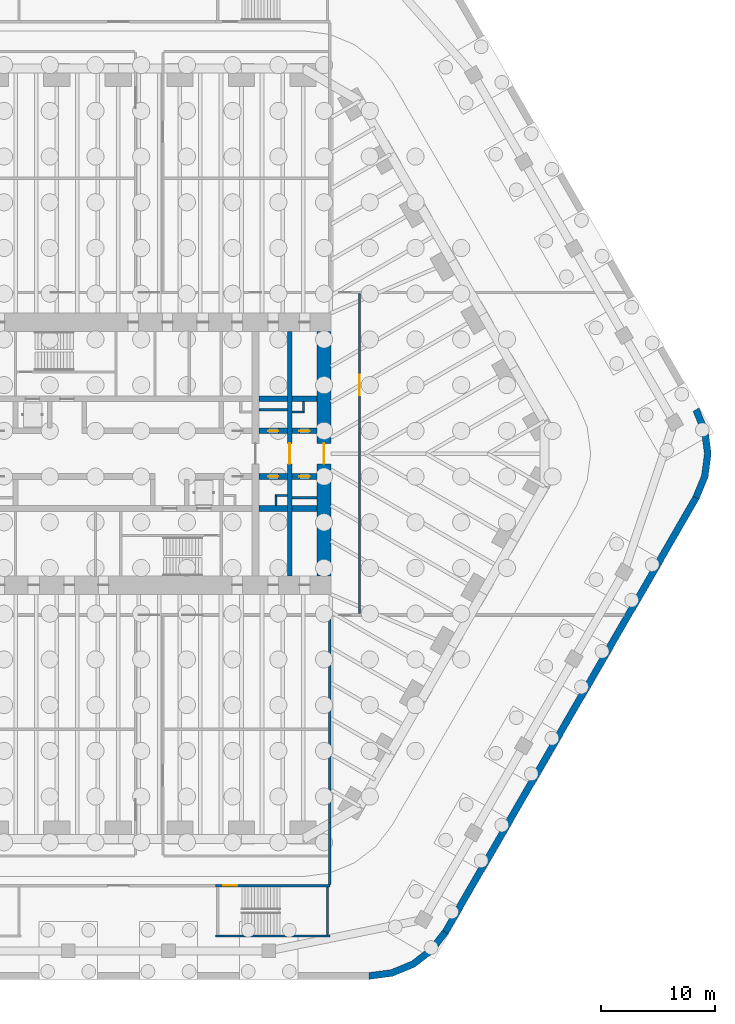
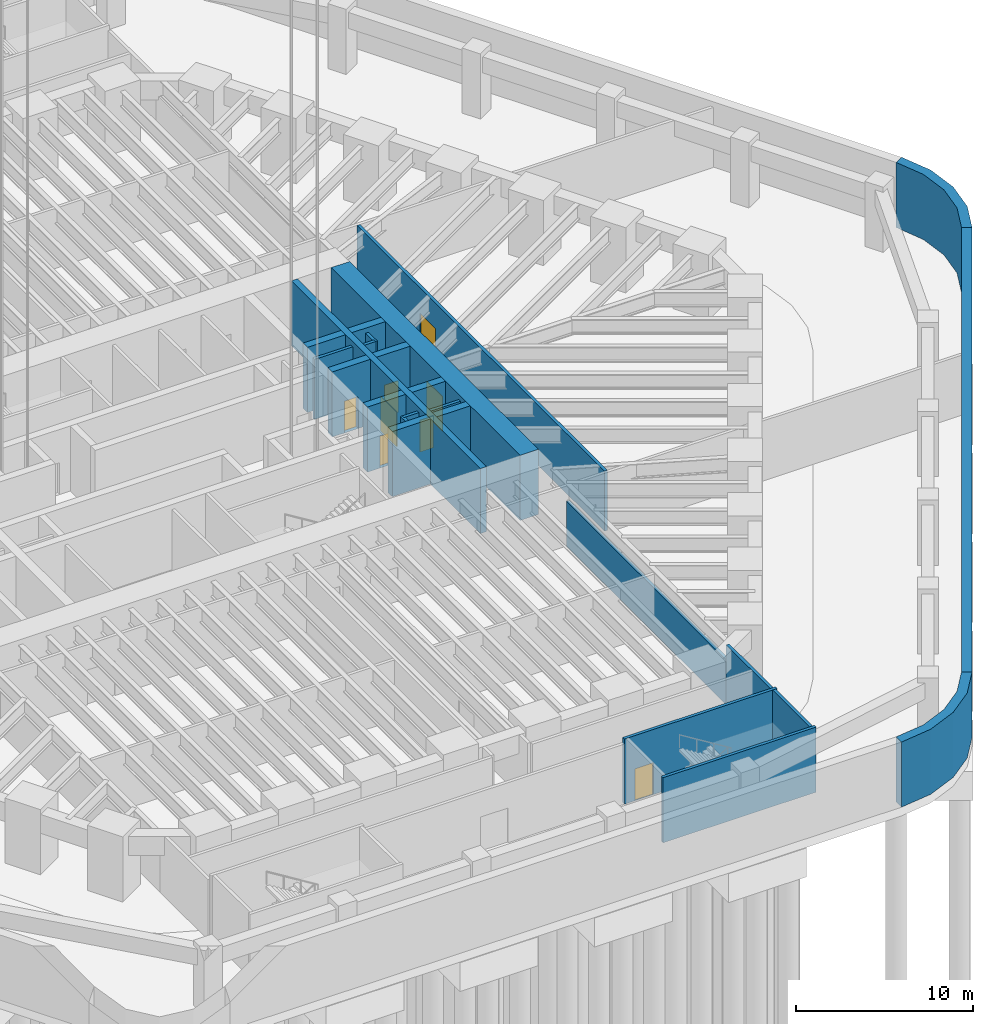
# One storey, part 11 of 17: 25 walls, 8 doors, 8 openings.
"""IFC4 building model written with IfcOpenShell, lengths in metres."""

from ifc_helpers import new_model, si_unit, direction, frame, frame_2d, origin, place, context, subcontext, project, spatial, polyline, rectangle, outline, extrude, material, layer, layer_set, type_object, element, fill, save


model = new_model("IFC4")

# Units and contexts
model_context = context("Model", 3, precision=1e-05, world=origin(), true_north=direction((0.0, 1.0)))
body_context = subcontext(model_context, "Body", "Model", "MODEL_VIEW")
ifc_project = project(units=[si_unit("LENGTHUNIT", "METRE"), si_unit("AREAUNIT", "SQUARE_METRE"), si_unit("VOLUMEUNIT", "CUBIC_METRE"), si_unit("PLANEANGLEUNIT", "RADIAN"), si_unit("MASSUNIT", "GRAM", prefix="KILO")], contexts=[model_context])

# Site, building, storey
site_placement = place(None, origin())
site = spatial("IfcSite", under=ifc_project, at=site_placement, CompositionType="ELEMENT")
building_placement = place(site_placement, origin())
building = spatial("IfcBuilding", under=site, at=building_placement, Name="Tarfa Lantern Tower", CompositionType="ELEMENT")
storey_placement = place(building_placement, frame((0.0, 0.0, -9.0)))
storey = spatial("IfcBuildingStorey", under=building, at=storey_placement, Name="B2", CompositionType="ELEMENT", Elevation=-9.0)

# Walls
ifc_material_1 = material(Name="Concrete blockwork", Category="masonry")
ifc_layer_1 = layer(ifc_material_1, 0.199951171875)
ifc_layer_set_1 = layer_set([ifc_layer_1], Name="IW1 BLOCKWORK PARTITION 200 EI 120")
wall_type_1 = type_object("IfcWallType", Name="IW1 BLOCKWORK PARTITION 200 EI 120", PredefinedType="PARTITIONING", material=ifc_layer_set_1)
wall_1_placement = place(storey_placement, frame((12.300048828125, 3.85009765625, 0.0), z_axis=(0.0, 0.0, 1.0), x_axis=(1.0, 0.0, 0.0)))
element("IfcWall", 1, at=wall_1_placement, inside=storey, type_object=wall_type_1, Name="Core partition", PredefinedType="PARTITIONING", context=body_context, shape_type="SweptSolid", body=[
    extrude(rectangle(XDim=2.5, YDim=0.199951171875, at=frame_2d((1.25, 0.0))), origin(), (0.0, 0.0, 1.0), 4.14990234375),
])
for number, where, z_axis, x_axis, name in (
    (2, (15.199951171875, 3.64990234375, 0.0), (0.0, 0.0, 1.0), (1.0, 0.0, 0.0), "Core partition"),
    (3, (16.199951171875, 3.550048828125, 0.0), (0.0, 0.0, 1.0), (0.0, 1.0, 0.0), "Core partition"),
):
    element("IfcWall", number, at=place(storey_placement, frame(where, z_axis=z_axis, x_axis=x_axis)), inside=storey, type_object=wall_type_1, Name=name, PredefinedType="PARTITIONING", context=body_context, shape_type="SweptSolid", body=[
        extrude(rectangle(XDim=1.0, YDim=0.199951171875, at=frame_2d((0.5, 0.0))), origin(), (0.0, 0.0, 1.0), 4.14990234375),
    ])
wall_2_placement = place(storey_placement, frame((17.39990234375, -3.85009765625, 0.0), z_axis=(0.0, 0.0, 1.0), x_axis=(-1.0, 0.0, 0.0)))
element("IfcWall", 4, at=wall_2_placement, inside=storey, type_object=wall_type_1, Name="Core partition", PredefinedType="PARTITIONING", context=body_context, shape_type="SweptSolid", body=[
    extrude(rectangle(XDim=2.199951171875, YDim=0.199951171875, at=frame_2d((1.10009765625, 0.0))), origin(), (0.0, 0.0, 1.0), 4.14990234375),
])
for number, where, z_axis, x_axis, name in (
    (5, (14.800048828125, -3.64990234375, 0.0), (0.0, 0.0, 1.0), (-1.0, 0.0, 0.0), "Core partition"),
    (6, (13.800048828125, -3.550048828125, 0.0), (0.0, 0.0, 1.0), (0.0, -1.0, 0.0), "Core partition"),
):
    element("IfcWall", number, at=place(storey_placement, frame(where, z_axis=z_axis, x_axis=x_axis)), inside=storey, type_object=wall_type_1, Name=name, PredefinedType="PARTITIONING", context=body_context, shape_type="SweptSolid", body=[
        extrude(rectangle(XDim=1.0, YDim=0.199951171875, at=frame_2d((0.5, 0.0))), origin(), (0.0, 0.0, 1.0), 4.14990234375),
    ])
wall_3_placement = place(storey_placement, frame((18.5, -14.199951171875, 0.0), z_axis=(0.0, 0.0, 1.0), x_axis=(0.0, -1.0, 0.0)))
element("IfcWall", 7, at=wall_3_placement, inside=storey, type_object=wall_type_1, Name="Fire-rated partition", PredefinedType="PARTITIONING", context=body_context, shape_type="SweptSolid", body=[
    extrude(rectangle(XDim=18.09033203125, YDim=0.199951171875, at=frame_2d((9.045166015625, 0.0))), origin(), (0.0, 0.0, 1.0), 3.093994140625),
])
wall_4_placement = place(storey_placement, frame((18.5, -32.290283203125, 0.0), z_axis=(0.0, 0.0, 1.0), x_axis=(0.0, -1.0, 0.0)))
element("IfcWall", 8, at=wall_4_placement, inside=storey, type_object=wall_type_1, Name="Fire-rated partition", PredefinedType="PARTITIONING", context=body_context, shape_type="SweptSolid", body=[
    extrude(rectangle(XDim=5.40966796875, YDim=0.199951171875, at=frame_2d((2.704833984375, 0.0))), origin(), (0.0, 0.0, 1.0), 4.14990234375),
])

# Wall, opening, door
wall_5_placement = place(storey_placement, frame((21.10009765625, -14.0, 0.0), z_axis=(0.0, 0.0, 1.0), x_axis=(0.0, 1.0, 0.0)))
wall_5 = element("IfcWall", 9, at=wall_5_placement, inside=storey, type_object=wall_type_1, Name="Fire-rated partition", PredefinedType="PARTITIONING", context=body_context, shape_type="SweptSolid", body=[
    extrude(rectangle(XDim=28.0, YDim=0.199951171875, at=frame_2d((14.0, 0.0))), origin(), (0.0, 0.0, 1.0), 4.14990234375),
])
opening_1_placement = place(wall_5_placement, frame((19.10009765625, 0.0, 0.0)))
opening_1 = element("IfcOpeningElement", 10, at=opening_1_placement, cuts=wall_5, Name="Opening D53", PredefinedType="OPENING", context=body_context, shape_type="SweptSolid", body=[
    extrude(rectangle(XDim=1.800048828125, YDim=2.39990234375, at=frame_2d((0.89990234375, 1.199951171875))), frame((0.0, 0.10986328125, 0.0), z_axis=(0.0, -1.0, 0.0), x_axis=(1.0, 0.0, 0.0)), (0.0, 0.0, 1.0), 0.219970703125),
])
ifc_material_2 = material(Name="Steel fire door", Category="steel")
door_type_1 = type_object("IfcDoorType", Name="DF7 FIRE DOOR 1800x2400", OperationType="DOUBLE_DOOR_SINGLE_SWING", PredefinedType="DOOR", material=ifc_material_2)
door_1_placement = place(opening_1_placement, frame((1.800048828125, 0.0, 0.0), z_axis=(0.0, 0.0, 1.0), x_axis=(-1.0, 0.0, 0.0)))
door_1 = element("IfcDoor", 11, at=door_1_placement, inside=storey, type_object=door_type_1, Name="Plant room door", OperationType="DOUBLE_DOOR_SINGLE_SWING", OverallHeight=2.39990234375, OverallWidth=1.800048828125, PredefinedType="DOOR", context=body_context, shape_type="SweptSolid", body=[
    extrude(rectangle(XDim=1.800048828125, YDim=2.39990234375, at=frame_2d((0.89990234375, 1.199951171875))), frame((0.0, 0.02490234375, 0.0), z_axis=(0.0, -1.0, 0.0), x_axis=(1.0, 0.0, 0.0)), (0.0, 0.0, 1.0), 0.050048828125),
])
fill(opening_1, door_1)

# Walls
ifc_material_3 = material(Name="Concrete C50/60", Category="concrete")
ifc_layer_2 = layer(ifc_material_3, 0.60009765625)
ifc_layer_set_2 = layer_set([ifc_layer_2], Name="RW1 RETAINING WALL 600")
wall_type_2 = type_object("IfcWallType", Name="RW1 RETAINING WALL 600", PredefinedType="SOLIDWALL", material=ifc_layer_set_2)
wall_6_placement = place(storey_placement, origin())
element("IfcWall", 12, at=wall_6_placement, inside=storey, type_object=wall_type_2, Name="Retaining wall corner S", PredefinedType="SOLIDWALL", context=body_context, shape_type="SweptSolid", body=[
    extrude(outline(polyline([(21.939208984375, -46.0), (24.009765625, -45.727294921875), (25.939208984375, -44.92822265625), (27.59619140625, -43.65673828125), (28.867431640625, -42.0), (28.347900390625, -41.699951171875), (27.171875, -43.232666015625), (25.639404296875, -44.40869140625), (23.8544921875, -45.14794921875), (21.939208984375, -45.39990234375), (21.939208984375, -46.0)])), origin(), (0.0, 0.0, 1.0), 4.5),
])
wall_7_placement = place(storey_placement, frame((28.607666015625, -41.85009765625, 0.0), z_axis=(0.0, 0.0, 1.0), x_axis=(0.500002442456, 0.866023993627, 0.0)))
element("IfcWall", 13, at=wall_7_placement, inside=storey, type_object=wall_type_2, Name="Retaining wall SE", PredefinedType="SOLIDWALL", context=body_context, shape_type="SweptSolid", body=[
    extrude(rectangle(XDim=43.878662109375, YDim=0.60009765625, at=frame_2d((21.939453125, 0.0))), origin(), (0.0, 0.0, 1.0), 4.5),
])
wall_8_placement = place(storey_placement, origin())
element("IfcWall", 14, at=wall_8_placement, inside=storey, type_object=wall_type_2, Name="Retaining wall corner SE", PredefinedType="SOLIDWALL", context=body_context, shape_type="SweptSolid", body=[
    extrude(outline(polyline([(50.806884765625, -4.0), (51.60595703125, -2.070556640625), (51.878662109375, 0.0), (51.60595703125, 2.070556640625), (50.806884765625, 4.0), (50.287109375, 3.699951171875), (51.0263671875, 1.915283203125), (51.278564453125, 0.0), (51.0263671875, -1.915283203125), (50.287109375, -3.699951171875), (50.806884765625, -4.0)])), origin(), (0.0, 0.0, 1.0), 4.5),
])

# Wall, opening, door
ifc_material_4 = material(Name="Concrete C80/95", Category="concrete")
ifc_layer_3 = layer(ifc_material_4, 1.199951171875)
ifc_layer_set_3 = layer_set([ifc_layer_3], Name="SW1 CORE WALL 1200")
wall_type_3 = type_object("IfcWallType", Name="SW1 CORE WALL 1200", PredefinedType="SHEAR", material=ifc_layer_set_3)
wall_9_placement = place(storey_placement, frame((18.0, -10.699951171875, 0.0), z_axis=(0.0, 0.0, 1.0), x_axis=(0.0, 1.0, 0.0)))
wall_9 = element("IfcWall", 15, at=wall_9_placement, inside=storey, type_object=wall_type_3, Name="Core wall E", PredefinedType="SHEAR", context=body_context, shape_type="SweptSolid", body=[
    extrude(rectangle(XDim=21.39990234375, YDim=1.199951171875, at=frame_2d((10.699951171875, 0.0))), origin(), (0.0, 0.0, 1.0), 4.5),
])
opening_2_placement = place(wall_9_placement, frame((9.800048828125, 0.0, 0.0)))
opening_2 = element("IfcOpeningElement", 16, at=opening_2_placement, cuts=wall_9, Name="Opening D15", PredefinedType="OPENING", context=body_context, shape_type="SweptSolid", body=[
    extrude(rectangle(XDim=1.800048828125, YDim=2.39990234375, at=frame_2d((0.89990234375, 1.199951171875))), frame((0.0, 0.60986328125, 0.0), z_axis=(0.0, -1.0, 0.0), x_axis=(1.0, 0.0, 0.0)), (0.0, 0.0, 1.0), 1.219970703125),
])
door_type_2 = type_object("IfcDoorType", Name="DL1 LOBBY DOOR 1800x2400", OperationType="DOUBLE_DOOR_SINGLE_SWING", PredefinedType="DOOR", material=ifc_material_2)
door_2_placement = place(opening_2_placement, frame((1.800048828125, 0.0, 0.0), z_axis=(0.0, 0.0, 1.0), x_axis=(-1.0, 0.0, 0.0)))
door_2 = element("IfcDoor", 17, at=door_2_placement, inside=storey, type_object=door_type_2, Name="Lift lobby door", OperationType="DOUBLE_DOOR_SINGLE_SWING", OverallHeight=2.39990234375, OverallWidth=1.800048828125, PredefinedType="DOOR", context=body_context, shape_type="SweptSolid", body=[
    extrude(rectangle(XDim=1.800048828125, YDim=2.39990234375, at=frame_2d((0.89990234375, 1.199951171875))), frame((0.0, 0.02490234375, 0.0), z_axis=(0.0, -1.0, 0.0), x_axis=(1.0, 0.0, 0.0)), (0.0, 0.0, 1.0), 0.050048828125),
])
fill(opening_2, door_2)

# Wall
ifc_layer_4 = layer(ifc_material_4, 0.199951171875)
ifc_layer_set_4 = layer_set([ifc_layer_4], Name="SW12 CORE WALL 200")
wall_type_4 = type_object("IfcWallType", Name="SW12 CORE WALL 200", PredefinedType="SHEAR", material=ifc_layer_set_4)
wall_10_placement = place(storey_placement, frame((8.5, -42.199951171875, 0.0), z_axis=(0.0, 0.0, 1.0), x_axis=(1.0, 0.0, 0.0)))
element("IfcWall", 18, at=wall_10_placement, inside=storey, type_object=wall_type_4, Name="Stair ST6 shaft wall", PredefinedType="SHEAR", context=body_context, shape_type="SweptSolid", body=[
    extrude(rectangle(XDim=10.0, YDim=0.199951171875, at=frame_2d((5.0, 0.0))), origin(), (0.0, 0.0, 1.0), 4.5),
])

# Wall, opening, door
wall_11_placement = place(storey_placement, frame((18.5, -37.800048828125, 0.0), z_axis=(0.0, 0.0, 1.0), x_axis=(-1.0, 0.0, 0.0)))
wall_11 = element("IfcWall", 19, at=wall_11_placement, inside=storey, type_object=wall_type_4, Name="Stair ST6 shaft wall", PredefinedType="SHEAR", context=body_context, shape_type="SweptSolid", body=[
    extrude(rectangle(XDim=10.0, YDim=0.199951171875, at=frame_2d((5.0, 0.0))), origin(), (0.0, 0.0, 1.0), 4.5),
])
opening_3_placement = place(wall_11_placement, frame((8.10009765625, 0.0, 0.0)))
opening_3 = element("IfcOpeningElement", 20, at=opening_3_placement, cuts=wall_11, Name="Opening D44", PredefinedType="OPENING", context=body_context, shape_type="SweptSolid", body=[
    extrude(rectangle(XDim=1.199951171875, YDim=2.199951171875, at=frame_2d((0.60009765625, 1.10009765625))), frame((0.0, 0.10986328125, 0.0), z_axis=(0.0, -1.0, 0.0), x_axis=(1.0, 0.0, 0.0)), (0.0, 0.0, 1.0), 0.219970703125),
])
door_type_3 = type_object("IfcDoorType", Name="DF9 STAIR DOOR 1200x2200", OperationType="SINGLE_SWING_LEFT", PredefinedType="DOOR", material=ifc_material_2)
door_3_placement = place(opening_3_placement, origin())
door_3 = element("IfcDoor", 21, at=door_3_placement, inside=storey, type_object=door_type_3, Name="Stair door", OperationType="SINGLE_SWING_LEFT", OverallHeight=2.199951171875, OverallWidth=1.199951171875, PredefinedType="DOOR", context=body_context, shape_type="SweptSolid", body=[
    extrude(rectangle(XDim=1.199951171875, YDim=2.199951171875, at=frame_2d((0.60009765625, 1.10009765625))), frame((0.0, 0.02490234375, 0.0), z_axis=(0.0, -1.0, 0.0), x_axis=(1.0, 0.0, 0.0)), (0.0, 0.0, 1.0), 0.050048828125),
])
fill(opening_3, door_3)

# Wall
wall_12_placement = place(storey_placement, frame((18.300048828125, -42.10009765625, 0.0), z_axis=(0.0, 0.0, 1.0), x_axis=(0.0, 1.0, 0.0)))
element("IfcWall", 22, at=wall_12_placement, inside=storey, type_object=wall_type_4, Name="Stair ST6 shaft wall", PredefinedType="SHEAR", context=body_context, shape_type="SweptSolid", body=[
    extrude(rectangle(XDim=4.2001953125, YDim=0.199951171875, at=frame_2d((2.10009765625, 0.0))), origin(), (0.0, 0.0, 1.0), 4.5),
])

# Wall, opening, door
ifc_layer_5 = layer(ifc_material_4, 0.5)
ifc_layer_set_5 = layer_set([ifc_layer_5], Name="SW5 CORE WALL 500")
wall_type_5 = type_object("IfcWallType", Name="SW5 CORE WALL 500", PredefinedType="SHEAR", material=ifc_layer_set_5)
wall_13_placement = place(storey_placement, frame((12.300048828125, 2.0, 0.0), z_axis=(0.0, 0.0, 1.0), x_axis=(1.0, 0.0, 0.0)))
wall_13 = element("IfcWall", 23, at=wall_13_placement, inside=storey, type_object=wall_type_5, Name="Core wall lobby east N", PredefinedType="SHEAR", context=body_context, shape_type="SweptSolid", body=[
    extrude(rectangle(XDim=2.5, YDim=0.5, at=frame_2d((1.25, 0.0))), origin(), (0.0, 0.0, 1.0), 4.5),
])
opening_4_placement = place(wall_13_placement, frame((0.800048828125, 0.0, 0.0)))
opening_4 = element("IfcOpeningElement", 24, at=opening_4_placement, cuts=wall_13, Name="Opening D19", PredefinedType="OPENING", context=body_context, shape_type="SweptSolid", body=[
    extrude(rectangle(XDim=0.89990234375, YDim=2.199951171875, at=frame_2d((0.449951171875, 1.10009765625))), frame((0.0, 0.260009765625, 0.0), z_axis=(0.0, -1.0, 0.0), x_axis=(1.0, 0.0, 0.0)), (0.0, 0.0, 1.0), 0.52001953125),
])
door_type_4 = type_object("IfcDoorType", Name="DF6 SERVICE ROOM DOOR 900x2200", OperationType="SINGLE_SWING_LEFT", PredefinedType="DOOR", material=ifc_material_2)
door_4_placement = place(opening_4_placement, origin())
door_4 = element("IfcDoor", 25, at=door_4_placement, inside=storey, type_object=door_type_4, Name="Service room door", OperationType="SINGLE_SWING_LEFT", OverallHeight=2.199951171875, OverallWidth=0.89990234375, PredefinedType="DOOR", context=body_context, shape_type="SweptSolid", body=[
    extrude(rectangle(XDim=0.89990234375, YDim=2.199951171875, at=frame_2d((0.449951171875, 1.10009765625))), frame((0.0, 0.02490234375, 0.0), z_axis=(0.0, -1.0, 0.0), x_axis=(1.0, 0.0, 0.0)), (0.0, 0.0, 1.0), 0.050048828125),
])
fill(opening_4, door_4)

wall_14_placement = place(storey_placement, frame((15.199951171875, 2.0, 0.0), z_axis=(0.0, 0.0, 1.0), x_axis=(1.0, 0.0, 0.0)))
wall_14 = element("IfcWall", 26, at=wall_14_placement, inside=storey, type_object=wall_type_5, Name="Core wall lobby east N", PredefinedType="SHEAR", context=body_context, shape_type="SweptSolid", body=[
    extrude(rectangle(XDim=2.199951171875, YDim=0.5, at=frame_2d((1.10009765625, 0.0))), origin(), (0.0, 0.0, 1.0), 4.5),
])
opening_5_placement = place(wall_14_placement, frame((0.64990234375, 0.0, 0.0)))
opening_5 = element("IfcOpeningElement", 27, at=opening_5_placement, cuts=wall_14, Name="Opening D21", PredefinedType="OPENING", context=body_context, shape_type="SweptSolid", body=[
    extrude(rectangle(XDim=0.89990234375, YDim=2.199951171875, at=frame_2d((0.449951171875, 1.10009765625))), frame((0.0, 0.260009765625, 0.0), z_axis=(0.0, -1.0, 0.0), x_axis=(1.0, 0.0, 0.0)), (0.0, 0.0, 1.0), 0.52001953125),
])
door_5_placement = place(opening_5_placement, origin())
door_5 = element("IfcDoor", 28, at=door_5_placement, inside=storey, type_object=door_type_4, Name="Service room door", OperationType="SINGLE_SWING_LEFT", OverallHeight=2.199951171875, OverallWidth=0.89990234375, PredefinedType="DOOR", context=body_context, shape_type="SweptSolid", body=[
    extrude(rectangle(XDim=0.89990234375, YDim=2.199951171875, at=frame_2d((0.449951171875, 1.10009765625))), frame((0.0, 0.02490234375, 0.0), z_axis=(0.0, -1.0, 0.0), x_axis=(1.0, 0.0, 0.0)), (0.0, 0.0, 1.0), 0.050048828125),
])
fill(opening_5, door_5)

# Walls
wall_15_placement = place(storey_placement, frame((12.300048828125, 4.800048828125, 0.0), z_axis=(0.0, 0.0, 1.0), x_axis=(1.0, 0.0, 0.0)))
element("IfcWall", 29, at=wall_15_placement, inside=storey, type_object=wall_type_5, Name="Core wall rear N", PredefinedType="SHEAR", context=body_context, shape_type="SweptSolid", body=[
    extrude(rectangle(XDim=2.5, YDim=0.5, at=frame_2d((1.25, 0.0))), origin(), (0.0, 0.0, 1.0), 4.5),
])
wall_16_placement = place(storey_placement, frame((15.199951171875, 4.800048828125, 0.0), z_axis=(0.0, 0.0, 1.0), x_axis=(1.0, 0.0, 0.0)))
element("IfcWall", 30, at=wall_16_placement, inside=storey, type_object=wall_type_5, Name="Core wall rear N", PredefinedType="SHEAR", context=body_context, shape_type="SweptSolid", body=[
    extrude(rectangle(XDim=2.199951171875, YDim=0.5, at=frame_2d((1.10009765625, 0.0))), origin(), (0.0, 0.0, 1.0), 4.5),
])

# Wall, opening, door
wall_17_placement = place(storey_placement, frame((17.39990234375, -2.0, 0.0), z_axis=(0.0, 0.0, 1.0), x_axis=(-1.0, 0.0, 0.0)))
wall_17 = element("IfcWall", 31, at=wall_17_placement, inside=storey, type_object=wall_type_5, Name="Core wall lobby west S", PredefinedType="SHEAR", context=body_context, shape_type="SweptSolid", body=[
    extrude(rectangle(XDim=2.199951171875, YDim=0.5, at=frame_2d((1.10009765625, 0.0))), origin(), (0.0, 0.0, 1.0), 4.5),
])
opening_6_placement = place(wall_17_placement, frame((0.64990234375, 0.0, 0.0)))
opening_6 = element("IfcOpeningElement", 32, at=opening_6_placement, cuts=wall_17, Name="Opening D24", PredefinedType="OPENING", context=body_context, shape_type="SweptSolid", body=[
    extrude(rectangle(XDim=0.89990234375, YDim=2.199951171875, at=frame_2d((0.449951171875, 1.10009765625))), frame((0.0, 0.260009765625, 0.0), z_axis=(0.0, -1.0, 0.0), x_axis=(1.0, 0.0, 0.0)), (0.0, 0.0, 1.0), 0.52001953125),
])
door_6_placement = place(opening_6_placement, origin())
door_6 = element("IfcDoor", 33, at=door_6_placement, inside=storey, type_object=door_type_4, Name="Service room door", OperationType="SINGLE_SWING_LEFT", OverallHeight=2.199951171875, OverallWidth=0.89990234375, PredefinedType="DOOR", context=body_context, shape_type="SweptSolid", body=[
    extrude(rectangle(XDim=0.89990234375, YDim=2.199951171875, at=frame_2d((0.449951171875, 1.10009765625))), frame((0.0, 0.02490234375, 0.0), z_axis=(0.0, -1.0, 0.0), x_axis=(1.0, 0.0, 0.0)), (0.0, 0.0, 1.0), 0.050048828125),
])
fill(opening_6, door_6)

wall_18_placement = place(storey_placement, frame((14.800048828125, -2.0, 0.0), z_axis=(0.0, 0.0, 1.0), x_axis=(-1.0, 0.0, 0.0)))
wall_18 = element("IfcWall", 34, at=wall_18_placement, inside=storey, type_object=wall_type_5, Name="Core wall lobby west S", PredefinedType="SHEAR", context=body_context, shape_type="SweptSolid", body=[
    extrude(rectangle(XDim=2.5, YDim=0.5, at=frame_2d((1.25, 0.0))), origin(), (0.0, 0.0, 1.0), 4.5),
])
opening_7_placement = place(wall_18_placement, frame((0.800048828125, 0.0, 0.0)))
opening_7 = element("IfcOpeningElement", 35, at=opening_7_placement, cuts=wall_18, Name="Opening D26", PredefinedType="OPENING", context=body_context, shape_type="SweptSolid", body=[
    extrude(rectangle(XDim=0.89990234375, YDim=2.199951171875, at=frame_2d((0.449951171875, 1.10009765625))), frame((0.0, 0.260009765625, 0.0), z_axis=(0.0, -1.0, 0.0), x_axis=(1.0, 0.0, 0.0)), (0.0, 0.0, 1.0), 0.52001953125),
])
door_7_placement = place(opening_7_placement, origin())
door_7 = element("IfcDoor", 36, at=door_7_placement, inside=storey, type_object=door_type_4, Name="Service room door", OperationType="SINGLE_SWING_LEFT", OverallHeight=2.199951171875, OverallWidth=0.89990234375, PredefinedType="DOOR", context=body_context, shape_type="SweptSolid", body=[
    extrude(rectangle(XDim=0.89990234375, YDim=2.199951171875, at=frame_2d((0.449951171875, 1.10009765625))), frame((0.0, 0.02490234375, 0.0), z_axis=(0.0, -1.0, 0.0), x_axis=(1.0, 0.0, 0.0)), (0.0, 0.0, 1.0), 0.050048828125),
])
fill(opening_7, door_7)

# Walls
wall_19_placement = place(storey_placement, frame((17.39990234375, -4.800048828125, 0.0), z_axis=(0.0, 0.0, 1.0), x_axis=(-1.0, 0.0, 0.0)))
element("IfcWall", 37, at=wall_19_placement, inside=storey, type_object=wall_type_5, Name="Core wall rear S", PredefinedType="SHEAR", context=body_context, shape_type="SweptSolid", body=[
    extrude(rectangle(XDim=2.199951171875, YDim=0.5, at=frame_2d((1.10009765625, 0.0))), origin(), (0.0, 0.0, 1.0), 4.5),
])
wall_20_placement = place(storey_placement, frame((14.800048828125, -4.800048828125, 0.0), z_axis=(0.0, 0.0, 1.0), x_axis=(-1.0, 0.0, 0.0)))
element("IfcWall", 38, at=wall_20_placement, inside=storey, type_object=wall_type_5, Name="Core wall rear S", PredefinedType="SHEAR", context=body_context, shape_type="SweptSolid", body=[
    extrude(rectangle(XDim=2.5, YDim=0.5, at=frame_2d((1.25, 0.0))), origin(), (0.0, 0.0, 1.0), 4.5),
])

# Wall, opening, door
ifc_layer_6 = layer(ifc_material_4, 0.39990234375)
ifc_layer_set_6 = layer_set([ifc_layer_6], Name="SW6 CORE WALL 400")
wall_type_6 = type_object("IfcWallType", Name="SW6 CORE WALL 400", PredefinedType="SHEAR", material=ifc_layer_set_6)
wall_21_placement = place(storey_placement, frame((15.0, -10.699951171875, 0.0), z_axis=(0.0, 0.0, 1.0), x_axis=(0.0, 1.0, 0.0)))
wall_21 = element("IfcWall", 39, at=wall_21_placement, inside=storey, type_object=wall_type_6, Name="Core wall cross 15 m east", PredefinedType="SHEAR", context=body_context, shape_type="SweptSolid", body=[
    extrude(rectangle(XDim=21.39990234375, YDim=0.39990234375, at=frame_2d((10.699951171875, 0.0))), origin(), (0.0, 0.0, 1.0), 4.5),
])
opening_8_placement = place(wall_21_placement, frame((9.800048828125, 0.0, 0.0)))
opening_8 = element("IfcOpeningElement", 40, at=opening_8_placement, cuts=wall_21, Name="Opening D38", PredefinedType="OPENING", context=body_context, shape_type="SweptSolid", body=[
    extrude(rectangle(XDim=1.800048828125, YDim=2.39990234375, at=frame_2d((0.89990234375, 1.199951171875))), frame((0.0, 0.2099609375, 0.0), z_axis=(0.0, -1.0, 0.0), x_axis=(1.0, 0.0, 0.0)), (0.0, 0.0, 1.0), 0.419921875),
])
door_8_placement = place(opening_8_placement, origin())
door_8 = element("IfcDoor", 41, at=door_8_placement, inside=storey, type_object=door_type_2, Name="Lift lobby door", OperationType="DOUBLE_DOOR_SINGLE_SWING", OverallHeight=2.39990234375, OverallWidth=1.800048828125, PredefinedType="DOOR", context=body_context, shape_type="SweptSolid", body=[
    extrude(rectangle(XDim=1.800048828125, YDim=2.39990234375, at=frame_2d((0.89990234375, 1.199951171875))), frame((0.0, 0.02490234375, 0.0), z_axis=(0.0, -1.0, 0.0), x_axis=(1.0, 0.0, 0.0)), (0.0, 0.0, 1.0), 0.050048828125),
])
fill(opening_8, door_8)

save(model, "model.ifc")
